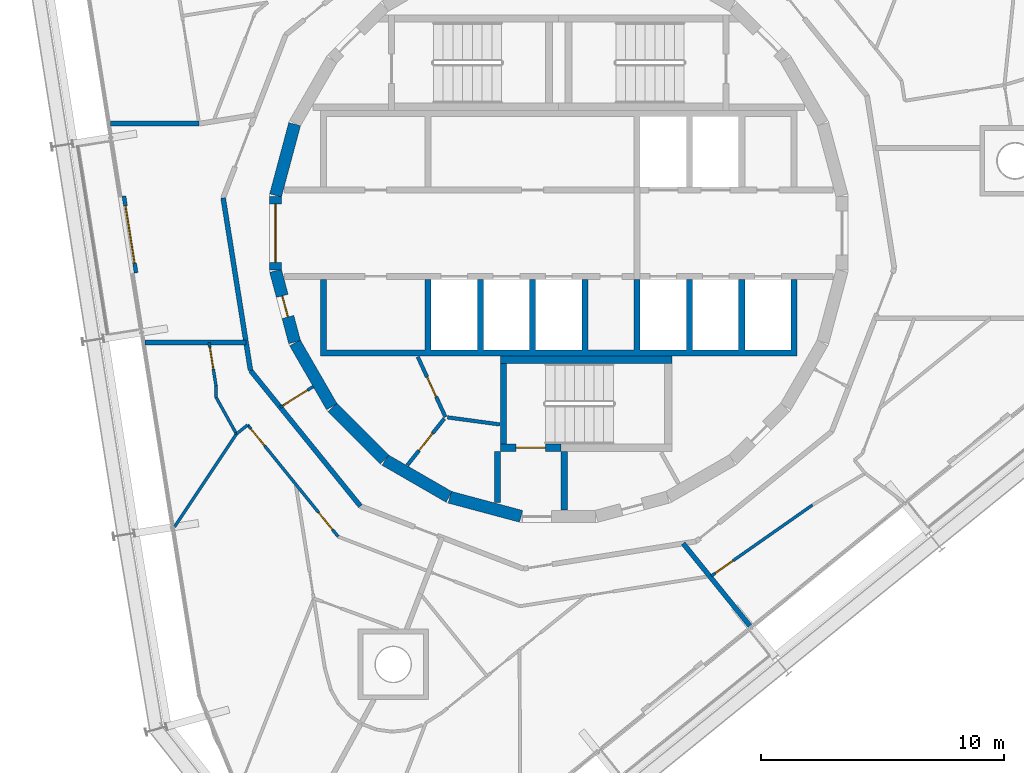
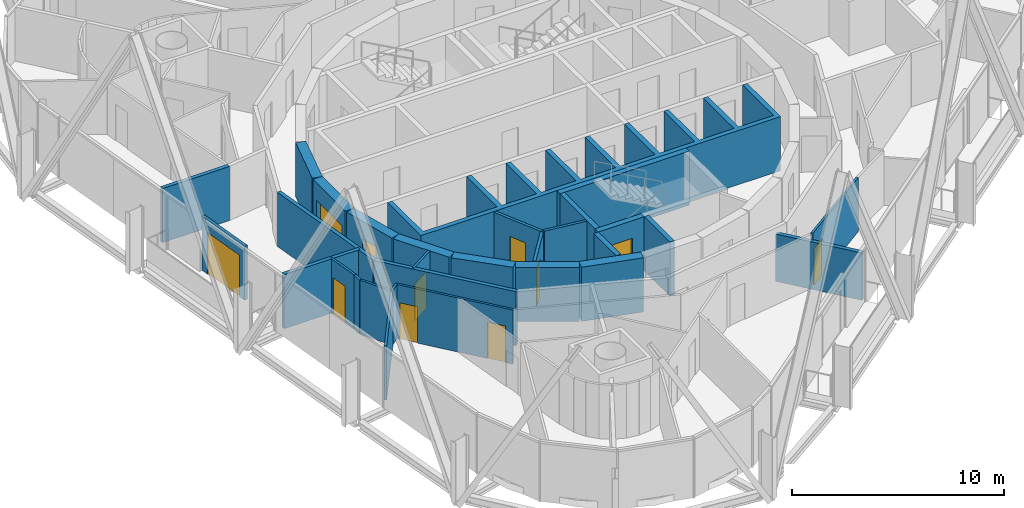
# One storey, part 12 of 18: 30 walls, 11 doors, 11 openings.
"""IFC4 building model written with IfcOpenShell, lengths in metres."""

from ifc_helpers import new_model, si_unit, direction, frame, frame_2d, origin, place, context, subcontext, project, spatial, polyline, rectangle, outline, extrude, material, layer, layer_set, type_object, element, fill, save


model = new_model("IFC4")

# Units and contexts
model_context = context("Model", 3, precision=1e-05, world=origin(), true_north=direction((0.0, 1.0)))
body_context = subcontext(model_context, "Body", "Model", "MODEL_VIEW")
ifc_project = project(units=[si_unit("LENGTHUNIT", "METRE"), si_unit("AREAUNIT", "SQUARE_METRE"), si_unit("VOLUMEUNIT", "CUBIC_METRE"), si_unit("PLANEANGLEUNIT", "RADIAN"), si_unit("MASSUNIT", "GRAM", prefix="KILO")], contexts=[model_context])

# Site, building, storey
site_placement = place(None, origin())
site = spatial("IfcSite", under=ifc_project, at=site_placement, CompositionType="ELEMENT")
building_placement = place(site_placement, origin())
building = spatial("IfcBuilding", under=site, at=building_placement, Name="Spindle Arch Residences", CompositionType="ELEMENT")
storey_placement = place(building_placement, frame((0.0, 0.0, 277.39990234375)))
storey = spatial("IfcBuildingStorey", under=building, at=storey_placement, Name="L71", CompositionType="ELEMENT", Elevation=277.39990234375)

# Wall
ifc_material_1 = material(Name="Concrete C50/60", Category="concrete")
ifc_layer_1 = layer(ifc_material_1, 0.5)
ifc_layer_set_1 = layer_set([ifc_layer_1], Name="Core outline wall 500")
wall_type_1 = type_object("IfcWallType", Name="Core outline wall 500", PredefinedType="SHEAR", material=ifc_layer_set_1)
wall_1_placement = place(storey_placement, frame((-10.858154296875, 4.479248046875, 0.0), z_axis=(0.0, 0.0, 1.0), x_axis=(-0.258734743916, -0.965948410781, 0.0)))
element("IfcWall", 1, at=wall_1_placement, inside=storey, type_object=wall_type_1, Name="Core outline wall 17", PredefinedType="SHEAR", context=body_context, shape_type="SweptSolid", body=[
    extrude(rectangle(XDim=3.03271484375, YDim=0.5, at=frame_2d((1.516357421875, 0.0))), origin(), (0.0, 0.0, 1.0), 3.1201171875),
])

# Wall, opening, door
wall_2_placement = place(storey_placement, frame((-11.647216796875, 1.516357421875, 0.0), z_axis=(0.0, 0.0, 1.0), x_axis=(0.0, -1.0, 0.0)))
wall_2 = element("IfcWall", 2, at=wall_2_placement, inside=storey, type_object=wall_type_1, Name="Core outline wall 18", PredefinedType="SHEAR", context=body_context, shape_type="SweptSolid", body=[
    extrude(rectangle(XDim=3.03271484375, YDim=0.5, at=frame_2d((1.516357421875, 0.0))), origin(), (0.0, 0.0, 1.0), 3.1201171875),
])
opening_1_placement = place(wall_2_placement, frame((0.31640625, 0.0, 0.0)))
opening_1 = element("IfcOpeningElement", 3, at=opening_1_placement, cuts=wall_2, Name="Opening R7B0-LE01", PredefinedType="OPENING", context=body_context, shape_type="SweptSolid", body=[
    extrude(rectangle(XDim=2.39990234375, YDim=2.10009765625, at=frame_2d((1.199951171875, 1.050048828125))), frame((0.0, 0.260009765625, 0.0), z_axis=(0.0, -1.0, 0.0), x_axis=(1.0, 0.0, 0.0)), (0.0, 0.0, 1.0), 0.52001953125),
])
ifc_material_2 = material(Name="Steel, fire-resisting door", Category="steel")
door_type_1 = type_object("IfcDoorType", Name="Lift lobby entrance door 2400x2100", OperationType="DOUBLE_DOOR_SINGLE_SWING", PredefinedType="DOOR", material=ifc_material_2)
door_1_placement = place(opening_1_placement, origin())
door_1 = element("IfcDoor", 4, at=door_1_placement, inside=storey, type_object=door_type_1, Name="Lift lobby entrance door R7B0-LE01", OperationType="DOUBLE_DOOR_SINGLE_SWING", OverallHeight=2.10009765625, OverallWidth=2.39990234375, PredefinedType="DOOR", context=body_context, shape_type="SweptSolid", body=[
    extrude(rectangle(XDim=2.39990234375, YDim=2.10009765625, at=frame_2d((1.199951171875, 1.050048828125))), frame((0.0, 0.02490234375, 0.0), z_axis=(0.0, -1.0, 0.0), x_axis=(1.0, 0.0, 0.0)), (0.0, 0.0, 1.0), 0.050048828125),
])
fill(opening_1, door_1)

wall_3_placement = place(storey_placement, frame((-11.642822265625, -1.5498046875, 0.0), z_axis=(0.0, 0.0, 1.0), x_axis=(0.258734743916, -0.965948410781, 0.0)))
wall_3 = element("IfcWall", 5, at=wall_3_placement, inside=storey, type_object=wall_type_1, Name="Core outline wall 19", PredefinedType="SHEAR", context=body_context, shape_type="SweptSolid", body=[
    extrude(rectangle(XDim=3.03271484375, YDim=0.5, at=frame_2d((1.516357421875, 0.0))), origin(), (0.0, 0.0, 1.0), 3.1201171875),
])
opening_2_placement = place(wall_3_placement, frame((1.06640625, 0.0, 0.0)))
opening_2 = element("IfcOpeningElement", 6, at=opening_2_placement, cuts=wall_3, Name="Opening R7B0-WD10", PredefinedType="OPENING", context=body_context, shape_type="SweptSolid", body=[
    extrude(rectangle(XDim=0.89990234375, YDim=2.10009765625, at=frame_2d((0.449951171875, 1.050048828125))), frame((0.0, 0.260009765625, 0.0), z_axis=(0.0, -1.0, 0.0), x_axis=(1.0, 0.0, 0.0)), (0.0, 0.0, 1.0), 0.52001953125),
])
ifc_material_3 = material(Name="Steel, fire-resisting door", Category="steel")
door_type_2 = type_object("IfcDoorType", Name="Service room door 900x2100", OperationType="SINGLE_SWING_LEFT", PredefinedType="DOOR", material=ifc_material_3)
door_2_placement = place(opening_2_placement, origin())
door_2 = element("IfcDoor", 7, at=door_2_placement, inside=storey, type_object=door_type_2, Name="Service room door R7B0-WD10", OperationType="SINGLE_SWING_RIGHT", OverallHeight=2.10009765625, OverallWidth=0.89990234375, PredefinedType="DOOR", context=body_context, shape_type="SweptSolid", body=[
    extrude(rectangle(XDim=0.89990234375, YDim=2.10009765625, at=frame_2d((0.449951171875, 1.050048828125))), frame((0.0, 0.02490234375, 0.0), z_axis=(0.0, -1.0, 0.0), x_axis=(1.0, 0.0, 0.0)), (0.0, 0.0, 1.0), 0.050048828125),
])
fill(opening_2, door_2)

# Walls
wall_4_placement = place(storey_placement, frame((-10.84521484375, -4.510498046875, 0.0), z_axis=(0.0, 0.0, 1.0), x_axis=(0.500087131594, -0.865975092491, 0.0)))
element("IfcWall", 8, at=wall_4_placement, inside=storey, type_object=wall_type_1, Name="Core outline wall 20", PredefinedType="SHEAR", context=body_context, shape_type="SweptSolid", body=[
    extrude(rectangle(XDim=3.03271484375, YDim=0.5, at=frame_2d((1.516357421875, 0.0))), origin(), (0.0, 0.0, 1.0), 3.1201171875),
])
wall_5_placement = place(storey_placement, frame((-9.30810546875, -7.163818359375, 0.0), z_axis=(0.0, 0.0, 1.0), x_axis=(0.707106781187, -0.707106781187, 0.0)))
element("IfcWall", 9, at=wall_5_placement, inside=storey, type_object=wall_type_1, Name="Core outline wall 21", PredefinedType="SHEAR", context=body_context, shape_type="SweptSolid", body=[
    extrude(rectangle(XDim=3.032470703125, YDim=0.5, at=frame_2d((1.51611328125, 0.0))), origin(), (0.0, 0.0, 1.0), 3.1201171875),
])
for number, where, z_axis, x_axis, name in (
    (10, (-7.13671875, -9.32861328125, 0.0), (0.0, 0.0, 1.0), (0.865975092491, -0.500087131594, 0.0), "Core outline wall 22"),
    (11, (-4.479248046875, -10.858154296875, 0.0), (0.0, 0.0, 1.0), (0.965948410781, -0.258734743916, 0.0), "Core outline wall 23"),
):
    element("IfcWall", number, at=place(storey_placement, frame(where, z_axis=z_axis, x_axis=x_axis)), inside=storey, type_object=wall_type_1, Name=name, PredefinedType="SHEAR", context=body_context, shape_type="SweptSolid", body=[
        extrude(rectangle(XDim=3.03271484375, YDim=0.5, at=frame_2d((1.516357421875, 0.0))), origin(), (0.0, 0.0, 1.0), 3.1201171875),
    ])

# Wall, opening, door
ifc_material_4 = material(Name="Plasterboard on steel studs", Category="steel")
ifc_layer_2 = layer(ifc_material_4, 0.1201171875)
ifc_layer_set_2 = layer_set([ifc_layer_2], Name="Corridor division wall 120")
wall_type_2 = type_object("IfcWallType", Name="Corridor division wall 120", PredefinedType="PARTITIONING", material=ifc_layer_set_2)
wall_6_placement = place(storey_placement, frame((-11.44921875, -7.154296875, 0.0), z_axis=(0.0, 0.0, 1.0), x_axis=(0.848067047543, 0.529888934468, 0.0)))
wall_6 = element("IfcWall", 12, at=wall_6_placement, inside=storey, type_object=wall_type_2, Name="Corridor division wall R7B0-W003", PredefinedType="PARTITIONING", context=body_context, shape_type="SweptSolid", body=[
    extrude(rectangle(XDim=1.595947265625, YDim=0.1201171875, at=frame_2d((0.7978515625, 0.0))), origin(), (0.0, 0.0, 1.0), 3.1201171875),
])
opening_3_placement = place(wall_6_placement, frame((0.1201171875, 0.0, 0.0)))
opening_3 = element("IfcOpeningElement", 13, at=opening_3_placement, cuts=wall_6, Name="Opening R7B0-CD03", PredefinedType="OPENING", context=body_context, shape_type="SweptSolid", body=[
    extrude(rectangle(XDim=1.199951171875, YDim=2.10009765625, at=frame_2d((0.60009765625, 1.050048828125))), frame((0.0, 0.070068359375, 0.0), z_axis=(0.0, -1.0, 0.0), x_axis=(1.0, 0.0, 0.0)), (0.0, 0.0, 1.0), 0.14013671875),
])
ifc_material_5 = material(Name="Steel, fire-resisting door", Category="steel")
door_type_3 = type_object("IfcDoorType", Name="Corridor division door 1200x2100", OperationType="NOTDEFINED", PredefinedType="DOOR", material=ifc_material_5)
door_3_placement = place(opening_3_placement, origin())
door_3 = element("IfcDoor", 14, at=door_3_placement, inside=storey, type_object=door_type_3, Name="Corridor division door R7B0-CD03", OperationType="DOUBLE_DOOR_SINGLE_SWING", OverallHeight=2.10009765625, OverallWidth=1.199951171875, PredefinedType="DOOR", context=body_context, shape_type="SweptSolid", body=[
    extrude(rectangle(XDim=1.199951171875, YDim=2.10009765625, at=frame_2d((0.60009765625, 1.050048828125))), frame((0.0, 0.02490234375, 0.0), z_axis=(0.0, -1.0, 0.0), x_axis=(1.0, 0.0, 0.0)), (0.0, 0.0, 1.0), 0.050048828125),
])
fill(opening_3, door_3)

# Wall
ifc_material_6 = material(Name="Calcium silicate block, plastered")
ifc_layer_3 = layer(ifc_material_6, 0.199951171875)
ifc_layer_set_3 = layer_set([ifc_layer_3], Name="Corridor wall 200")
wall_type_3 = type_object("IfcWallType", Name="Corridor wall 200", PredefinedType="STANDARD", material=ifc_layer_set_3)
wall_7_placement = place(storey_placement, frame((-12.67333984375, -5.642578125, 0.0), z_axis=(0.0, 0.0, 1.0), x_axis=(0.629302871585, -0.777160148113, 0.0)))
element("IfcWall", 15, at=wall_7_placement, inside=storey, type_object=wall_type_3, Name="Corridor wall R7B0-W012", PredefinedType="STANDARD", context=body_context, shape_type="SweptSolid", body=[
    extrude(rectangle(XDim=7.180908203125, YDim=0.199951171875, at=frame_2d((3.59033203125, 0.0))), origin(), (0.0, 0.0, 1.0), 3.1201171875),
])

# Wall, opening, door
ifc_material_7 = material(Name="Plasterboard on steel studs", Category="steel")
ifc_layer_4 = layer(ifc_material_7, 0.1201171875)
ifc_layer_set_4 = layer_set([ifc_layer_4], Name="Flat partition 120")
wall_type_4 = type_object("IfcWallType", Name="Flat partition 120", PredefinedType="PARTITIONING", material=ifc_layer_set_4)
wall_8_placement = place(storey_placement, frame((-14.373046875, -4.5, 0.0), z_axis=(0.0, 0.0, 1.0), x_axis=(0.156437152886, -0.987687914878, 0.0)))
wall_8 = element("IfcWall", 16, at=wall_8_placement, inside=storey, type_object=wall_type_4, Name="Flat partition R7B0-W068", PredefinedType="PARTITIONING", context=body_context, shape_type="SweptSolid", body=[
    extrude(rectangle(XDim=1.79638671875, YDim=0.1201171875, at=frame_2d((0.898193359375, 0.0))), origin(), (0.0, 0.0, 1.0), 3.1201171875),
])
opening_4_placement = place(wall_8_placement, frame((0.199951171875, 0.0, 0.0)))
opening_4 = element("IfcOpeningElement", 17, at=opening_4_placement, cuts=wall_8, Name="Opening R7B0-ID15", PredefinedType="OPENING", context=body_context, shape_type="SweptSolid", body=[
    extrude(rectangle(XDim=0.89990234375, YDim=2.10009765625, at=frame_2d((0.449951171875, 1.050048828125))), frame((0.0, 0.070068359375, 0.0), z_axis=(0.0, -1.0, 0.0), x_axis=(1.0, 0.0, 0.0)), (0.0, 0.0, 1.0), 0.14013671875),
])
ifc_material_8 = material(Name="Timber door set", Category="wood")
door_type_4 = type_object("IfcDoorType", Name="Room door 900x2100", OperationType="NOTDEFINED", PredefinedType="DOOR", material=ifc_material_8)
door_4_placement = place(opening_4_placement, origin())
door_4 = element("IfcDoor", 18, at=door_4_placement, inside=storey, type_object=door_type_4, Name="Room door R7B0-ID15", OperationType="SINGLE_SWING_RIGHT", OverallHeight=2.10009765625, OverallWidth=0.89990234375, PredefinedType="DOOR", context=body_context, shape_type="SweptSolid", body=[
    extrude(rectangle(XDim=0.89990234375, YDim=2.10009765625, at=frame_2d((0.449951171875, 1.050048828125))), frame((0.0, 0.02490234375, 0.0), z_axis=(0.0, -1.0, 0.0), x_axis=(1.0, 0.0, 0.0)), (0.0, 0.0, 1.0), 0.050048828125),
])
fill(opening_4, door_4)

# Walls
wall_9_placement = place(storey_placement, frame((-14.092041015625, -6.274169921875, 0.0), z_axis=(0.0, 0.0, 1.0), x_axis=(0.008221715939, -0.999966201122, 0.0)))
element("IfcWall", 19, at=wall_9_placement, inside=storey, type_object=wall_type_4, Name="Flat partition R7B0-W069", PredefinedType="PARTITIONING", context=body_context, shape_type="SweptSolid", body=[
    extrude(rectangle(XDim=0.47509765625, YDim=0.1201171875, at=frame_2d((0.237548828125, 0.0))), origin(), (0.0, 0.0, 1.0), 3.1201171875),
])
wall_10_placement = place(storey_placement, frame((-14.088134765625, -6.749267578125, 0.0), z_axis=(0.0, 0.0, 1.0), x_axis=(0.486723752783, -0.873555944675, 0.0)))
element("IfcWall", 20, at=wall_10_placement, inside=storey, type_object=wall_type_4, Name="Flat partition R7B0-W070", PredefinedType="PARTITIONING", context=body_context, shape_type="SweptSolid", body=[
    extrude(rectangle(XDim=1.7255859375, YDim=0.1201171875, at=frame_2d((0.86279296875, 0.0))), origin(), (0.0, 0.0, 1.0), 3.1201171875),
])
wall_11_placement = place(storey_placement, frame((-13.248291015625, -8.256591796875, 0.0), z_axis=(0.0, 0.0, 1.0), x_axis=(0.777071947771, 0.629411779352, 0.0)))
element("IfcWall", 21, at=wall_11_placement, inside=storey, type_object=wall_type_4, Name="Flat partition R7B0-W071", PredefinedType="PARTITIONING", context=body_context, shape_type="SweptSolid", body=[
    extrude(rectangle(XDim=0.591796875, YDim=0.1201171875, at=frame_2d((0.2958984375, 0.0))), origin(), (0.0, 0.0, 1.0), 3.1201171875),
])

# Wall, openings, doors
wall_12_placement = place(storey_placement, frame((-12.788330078125, -7.884033203125, 0.0), z_axis=(0.0, 0.0, 1.0), x_axis=(0.6293312414, -0.777137174891, 0.0)))
wall_12 = element("IfcWall", 22, at=wall_12_placement, inside=storey, type_object=wall_type_4, Name="Flat partition R7B0-W072", PredefinedType="PARTITIONING", context=body_context, shape_type="SweptSolid", body=[
    extrude(rectangle(XDim=5.913330078125, YDim=0.1201171875, at=frame_2d((2.95654296875, 0.0))), origin(), (0.0, 0.0, 1.0), 3.1201171875),
])
opening_5_placement = place(wall_12_placement, frame((0.199951171875, 0.0, 0.0)))
opening_5 = element("IfcOpeningElement", 23, at=opening_5_placement, cuts=wall_12, Name="Opening R7B0-ID16", PredefinedType="OPENING", context=body_context, shape_type="SweptSolid", body=[
    extrude(rectangle(XDim=0.89990234375, YDim=2.10009765625, at=frame_2d((0.449951171875, 1.050048828125))), frame((0.0, 0.070068359375, 0.0), z_axis=(0.0, -1.0, 0.0), x_axis=(1.0, 0.0, 0.0)), (0.0, 0.0, 1.0), 0.14013671875),
])
opening_6_placement = place(wall_12_placement, frame((4.63525390625, 0.0, 0.0)))
opening_6 = element("IfcOpeningElement", 24, at=opening_6_placement, cuts=wall_12, Name="Opening R7B0-ID17", PredefinedType="OPENING", context=body_context, shape_type="SweptSolid", body=[
    extrude(rectangle(XDim=0.89990234375, YDim=2.10009765625, at=frame_2d((0.449951171875, 1.050048828125))), frame((0.0, 0.070068359375, 0.0), z_axis=(0.0, -1.0, 0.0), x_axis=(1.0, 0.0, 0.0)), (0.0, 0.0, 1.0), 0.14013671875),
])
door_5_placement = place(opening_5_placement, origin())
door_5 = element("IfcDoor", 25, at=door_5_placement, inside=storey, type_object=door_type_4, Name="Room door R7B0-ID16", OperationType="SINGLE_SWING_RIGHT", OverallHeight=2.10009765625, OverallWidth=0.89990234375, PredefinedType="DOOR", context=body_context, shape_type="SweptSolid", body=[
    extrude(rectangle(XDim=0.89990234375, YDim=2.10009765625, at=frame_2d((0.449951171875, 1.050048828125))), frame((0.0, 0.02490234375, 0.0), z_axis=(0.0, -1.0, 0.0), x_axis=(1.0, 0.0, 0.0)), (0.0, 0.0, 1.0), 0.050048828125),
])
fill(opening_5, door_5)
door_6_placement = place(opening_6_placement, origin())
door_6 = element("IfcDoor", 26, at=door_6_placement, inside=storey, type_object=door_type_4, Name="Room door R7B0-ID17", OperationType="SINGLE_SWING_RIGHT", OverallHeight=2.10009765625, OverallWidth=0.89990234375, PredefinedType="DOOR", context=body_context, shape_type="SweptSolid", body=[
    extrude(rectangle(XDim=0.89990234375, YDim=2.10009765625, at=frame_2d((0.449951171875, 1.050048828125))), frame((0.0, 0.02490234375, 0.0), z_axis=(0.0, -1.0, 0.0), x_axis=(1.0, 0.0, 0.0)), (0.0, 0.0, 1.0), 0.050048828125),
])
fill(opening_6, door_6)

# Wall
wall_13_placement = place(storey_placement, frame((-15.801513671875, -12.07958984375, 0.0), z_axis=(0.0, 0.0, 1.0), x_axis=(0.555386305099, 0.831592479589, 0.0)))
element("IfcWall", 27, at=wall_13_placement, inside=storey, type_object=wall_type_4, Name="Flat partition R7B0-W074", PredefinedType="PARTITIONING", context=body_context, shape_type="SweptSolid", body=[
    extrude(rectangle(XDim=4.59716796875, YDim=0.1201171875, at=frame_2d((2.298583984375, 0.0))), origin(), (0.0, 0.0, 1.0), 3.1201171875),
])

# Wall, opening, door
wall_14_placement = place(storey_placement, frame((6.274169921875, -14.092041015625, 0.0), z_axis=(0.0, 0.0, 1.0), x_axis=(0.818755256003, 0.574142691992, 0.0)))
wall_14 = element("IfcWall", 28, at=wall_14_placement, inside=storey, type_object=wall_type_4, Name="Flat partition R7B0-W092", PredefinedType="PARTITIONING", context=body_context, shape_type="SweptSolid", body=[
    extrude(rectangle(XDim=5.080078125, YDim=0.1201171875, at=frame_2d((2.5400390625, 0.0))), origin(), (0.0, 0.0, 1.0), 3.1201171875),
])
opening_7_placement = place(wall_14_placement, frame((0.199951171875, 0.0, 0.0)))
opening_7 = element("IfcOpeningElement", 29, at=opening_7_placement, cuts=wall_14, Name="Opening R7B0-ID25", PredefinedType="OPENING", context=body_context, shape_type="SweptSolid", body=[
    extrude(rectangle(XDim=0.89990234375, YDim=2.10009765625, at=frame_2d((0.449951171875, 1.050048828125))), frame((0.0, 0.070068359375, 0.0), z_axis=(0.0, -1.0, 0.0), x_axis=(1.0, 0.0, 0.0)), (0.0, 0.0, 1.0), 0.14013671875),
])
door_7_placement = place(opening_7_placement, origin())
door_7 = element("IfcDoor", 30, at=door_7_placement, inside=storey, type_object=door_type_4, Name="Room door R7B0-ID25", OperationType="SINGLE_SWING_LEFT", OverallHeight=2.10009765625, OverallWidth=0.89990234375, PredefinedType="DOOR", context=body_context, shape_type="SweptSolid", body=[
    extrude(rectangle(XDim=0.89990234375, YDim=2.10009765625, at=frame_2d((0.449951171875, 1.050048828125))), frame((0.0, 0.02490234375, 0.0), z_axis=(0.0, -1.0, 0.0), x_axis=(1.0, 0.0, 0.0)), (0.0, 0.0, 1.0), 0.050048828125),
])
fill(opening_7, door_7)

# Wall
ifc_material_9 = material(Name="Calcium silicate block, plastered")
ifc_layer_5 = layer(ifc_material_9, 0.199951171875)
ifc_layer_set_5 = layer_set([ifc_layer_5], Name="Flat party wall 200 under beam 2730")
wall_type_5 = type_object("IfcWallType", Name="Flat party wall 200 under beam 2730", PredefinedType="STANDARD", material=ifc_layer_set_5)
wall_15_placement = place(storey_placement, frame((7.860595703125, -16.1484375, 0.0), z_axis=(0.0, 0.0, 1.0), x_axis=(-0.629330189513, 0.777138026716, 0.0)))
element("IfcWall", 31, at=wall_15_placement, inside=storey, type_object=wall_type_5, Name="Flat party wall R7B0-W030", PredefinedType="STANDARD", context=body_context, shape_type="SweptSolid", body=[
    extrude(rectangle(XDim=4.364013671875, YDim=0.199951171875, at=frame_2d((2.18212890625, 0.0))), origin(), (0.0, 0.0, 1.0), 2.72998046875),
])

# Wall, opening, door
ifc_material_10 = material(Name="Non-combustible mineral wool insulated aluminium faced external wall (K0)", Category="aluminium")
ifc_layer_6 = layer(ifc_material_10, 0.159912109375)
ifc_layer_set_6 = layer_set([ifc_layer_6], Name="Insulated external wall panel 160")
wall_type_6 = type_object("IfcWallType", Name="Insulated external wall panel 160", PredefinedType="STANDARD", material=ifc_layer_set_6)
wall_16_placement = place(storey_placement, frame((-17.875244140625, 1.52490234375, 0.0), z_axis=(0.0, 0.0, 1.0), x_axis=(0.156413134305, -0.987691718816, 0.0)))
wall_16 = element("IfcWall", 32, at=wall_16_placement, inside=storey, type_object=wall_type_6, Name="External wall L71 bay 13", PredefinedType="STANDARD", context=body_context, shape_type="SweptSolid", body=[
    extrude(rectangle(XDim=3.19970703125, YDim=0.159912109375, at=frame_2d((1.599853515625, 0.0))), origin(), (0.0, 0.0, 1.0), 3.1201171875),
])
opening_8_placement = place(wall_16_placement, frame((0.39990234375, 0.0, 0.0)))
opening_8 = element("IfcOpeningElement", 33, at=opening_8_placement, cuts=wall_16, Name="Opening BD13", PredefinedType="OPENING", context=body_context, shape_type="SweptSolid", body=[
    extrude(rectangle(XDim=2.39990234375, YDim=2.39990234375, at=frame_2d((1.199951171875, 1.199951171875))), frame((0.0, 0.08984375, 0.0), z_axis=(0.0, -1.0, 0.0), x_axis=(1.0, 0.0, 0.0)), (0.0, 0.0, 1.0), 0.179931640625),
])
ifc_material_11 = material(Name="Bronze aluminium frame, tinted double glazing", Category="aluminium")
door_type_5 = type_object("IfcDoorType", Name="Sliding glazed balcony door 2400x2400", OperationType="DOUBLE_DOOR_SLIDING", PredefinedType="DOOR", material=ifc_material_11)
door_8_placement = place(opening_8_placement, origin())
door_8 = element("IfcDoor", 34, at=door_8_placement, inside=storey, type_object=door_type_5, Name="Balcony door BD13", OperationType="DOUBLE_DOOR_SLIDING", OverallHeight=2.39990234375, OverallWidth=2.39990234375, PredefinedType="DOOR", context=body_context, shape_type="SweptSolid", body=[
    extrude(rectangle(XDim=2.39990234375, YDim=2.39990234375, at=frame_2d((1.199951171875, 1.199951171875))), frame((0.0, 0.02490234375, 0.0), z_axis=(0.0, -1.0, 0.0), x_axis=(1.0, 0.0, 0.0)), (0.0, 0.0, 1.0), 0.050048828125),
])
fill(opening_8, door_8)

# Walls
ifc_material_12 = material(Name="Calcium silicate block, plastered")
ifc_layer_7 = layer(ifc_material_12, 0.199951171875)
ifc_layer_set_7 = layer_set([ifc_layer_7], Name="Lift lobby bay wall 200")
wall_type_7 = type_object("IfcWallType", Name="Lift lobby bay wall 200", PredefinedType="STANDARD", material=ifc_layer_set_7)
wall_17_placement = place(storey_placement, frame((-13.796630859375, 1.4501953125, 0.0), z_axis=(0.0, 0.0, 1.0), x_axis=(0.156421704315, -0.987690361611, 0.0)))
element("IfcWall", 35, at=wall_17_placement, inside=storey, type_object=wall_type_7, Name="Lift lobby bay wall R7B0-W010", PredefinedType="STANDARD", context=body_context, shape_type="SweptSolid", body=[
    extrude(rectangle(XDim=7.18115234375, YDim=0.199951171875, at=frame_2d((3.590576171875, 0.0))), origin(), (0.0, 0.0, 1.0), 3.1201171875),
])
wall_18_placement = place(storey_placement, frame((-14.78271484375, 4.5, 0.0), z_axis=(0.0, 0.0, 1.0), x_axis=(-1.0, 0.0, 0.0)))
element("IfcWall", 36, at=wall_18_placement, inside=storey, type_object=wall_type_7, Name="Lift lobby bay wall R7B0-W017", PredefinedType="STANDARD", context=body_context, shape_type="SweptSolid", body=[
    extrude(rectangle(XDim=3.644775390625, YDim=0.199951171875, at=frame_2d((1.822265625, 0.0))), origin(), (0.0, 0.0, 1.0), 3.1201171875),
])
wall_19_placement = place(storey_placement, frame((-17.001953125, -4.5, 0.0), z_axis=(0.0, 0.0, 1.0), x_axis=(1.0, 0.0, 0.0)))
element("IfcWall", 37, at=wall_19_placement, inside=storey, type_object=wall_type_7, Name="Lift lobby bay wall R7B0-W018", PredefinedType="STANDARD", context=body_context, shape_type="SweptSolid", body=[
    extrude(rectangle(XDim=4.147705078125, YDim=0.199951171875, at=frame_2d((2.07373046875, 0.0))), origin(), (0.0, 0.0, 1.0), 3.1201171875),
])
ifc_material_13 = material(Name="Concrete C50/60", Category="concrete")
wall_type_8 = type_object("IfcWallType", Name="Lift shaft wall profile", PredefinedType="SHEAR", material=ifc_material_13)
wall_20_placement = place(storey_placement, origin())
element("IfcWall", 38, at=wall_20_placement, inside=storey, type_object=wall_type_8, Name="Lift shaft walls S", PredefinedType="SHEAR", context=body_context, shape_type="SweptSolid", body=[
    extrude(outline(polyline([(9.800048828125, -5.050048828125), (9.800048828125, -4.800048828125), (9.800048828125, -1.89990234375), (9.550048828125, -1.89990234375), (9.550048828125, -4.800048828125), (7.64990234375, -4.800048828125), (7.64990234375, -1.89990234375), (7.39990234375, -1.89990234375), (7.39990234375, -4.800048828125), (5.5, -4.800048828125), (5.5, -1.89990234375), (5.25, -1.89990234375), (5.25, -4.800048828125), (3.35009765625, -4.800048828125), (3.35009765625, -1.89990234375), (3.10009765625, -1.89990234375), (3.10009765625, -4.800048828125), (1.199951171875, -4.800048828125), (1.199951171875, -1.89990234375), (0.949951171875, -1.89990234375), (0.949951171875, -4.800048828125), (-0.949951171875, -4.800048828125), (-0.949951171875, -1.89990234375), (-1.199951171875, -1.89990234375), (-1.199951171875, -4.800048828125), (-3.10009765625, -4.800048828125), (-3.10009765625, -1.89990234375), (-3.35009765625, -1.89990234375), (-3.35009765625, -4.800048828125), (-5.25, -4.800048828125), (-5.25, -1.89990234375), (-5.5, -1.89990234375), (-5.5, -4.800048828125), (-9.550048828125, -4.800048828125), (-9.550048828125, -1.89990234375), (-9.800048828125, -1.89990234375), (-9.800048828125, -4.800048828125), (-9.800048828125, -5.050048828125), (9.800048828125, -5.050048828125)])), origin(), (0.0, 0.0, 1.0), 3.1201171875),
])

# Wall, opening, door
ifc_material_14 = material(Name="Concrete C25/30", Category="concrete")
ifc_layer_8 = layer(ifc_material_14, 0.14990234375)
ifc_layer_set_8 = layer_set([ifc_layer_8], Name="Service room partition 150")
wall_type_9 = type_object("IfcWallType", Name="Service room partition 150", PredefinedType="PARTITIONING", material=ifc_layer_set_8)
wall_21_placement = place(storey_placement, frame((-5.794921875, -5.086181640625, 0.0), z_axis=(0.0, 0.0, 1.0), x_axis=(0.417887867606, -0.908498613157, 0.0)))
wall_21 = element("IfcWall", 39, at=wall_21_placement, inside=storey, type_object=wall_type_9, Name="Core service room partition", PredefinedType="PARTITIONING", context=body_context, shape_type="SweptSolid", body=[
    extrude(rectangle(XDim=2.72607421875, YDim=0.14990234375, at=frame_2d((1.363037109375, 0.0))), origin(), (0.0, 0.0, 1.0), 3.1201171875),
])
opening_9_placement = place(wall_21_placement, frame((0.912841796875, 0.0, 0.0)))
opening_9 = element("IfcOpeningElement", 40, at=opening_9_placement, cuts=wall_21, Name="Opening R7B0-WD06", PredefinedType="OPENING", context=body_context, shape_type="SweptSolid", body=[
    extrude(rectangle(XDim=0.89990234375, YDim=2.10009765625, at=frame_2d((0.449951171875, 1.050048828125))), frame((0.0, 0.0849609375, 0.0), z_axis=(0.0, -1.0, 0.0), x_axis=(1.0, 0.0, 0.0)), (0.0, 0.0, 1.0), 0.169921875),
])
door_9_placement = place(opening_9_placement, origin())
door_9 = element("IfcDoor", 41, at=door_9_placement, inside=storey, type_object=door_type_2, Name="Service room door R7B0-WD06", OperationType="SINGLE_SWING_RIGHT", OverallHeight=2.10009765625, OverallWidth=0.89990234375, PredefinedType="DOOR", context=body_context, shape_type="SweptSolid", body=[
    extrude(rectangle(XDim=0.89990234375, YDim=2.10009765625, at=frame_2d((0.449951171875, 1.050048828125))), frame((0.0, 0.02490234375, 0.0), z_axis=(0.0, -1.0, 0.0), x_axis=(1.0, 0.0, 0.0)), (0.0, 0.0, 1.0), 0.050048828125),
])
fill(opening_9, door_9)

wall_22_placement = place(storey_placement, frame((-4.70556640625, -7.62548828125, 0.0), z_axis=(0.0, 0.0, 1.0), x_axis=(-0.621392599334, -0.783499353856, 0.0)))
wall_22 = element("IfcWall", 42, at=wall_22_placement, inside=storey, type_object=wall_type_9, Name="Core service room partition", PredefinedType="PARTITIONING", context=body_context, shape_type="SweptSolid", body=[
    extrude(rectangle(XDim=2.447265625, YDim=0.14990234375, at=frame_2d((1.2236328125, 0.0))), origin(), (0.0, 0.0, 1.0), 3.1201171875),
])
opening_10_placement = place(wall_22_placement, frame((0.773681640625, 0.0, 0.0)))
opening_10 = element("IfcOpeningElement", 43, at=opening_10_placement, cuts=wall_22, Name="Opening R7B0-WD07", PredefinedType="OPENING", context=body_context, shape_type="SweptSolid", body=[
    extrude(rectangle(XDim=0.89990234375, YDim=2.10009765625, at=frame_2d((0.449951171875, 1.050048828125))), frame((0.0, 0.0849609375, 0.0), z_axis=(0.0, -1.0, 0.0), x_axis=(1.0, 0.0, 0.0)), (0.0, 0.0, 1.0), 0.169921875),
])
door_10_placement = place(opening_10_placement, origin())
door_10 = element("IfcDoor", 44, at=door_10_placement, inside=storey, type_object=door_type_2, Name="Service room door R7B0-WD07", OperationType="SINGLE_SWING_LEFT", OverallHeight=2.10009765625, OverallWidth=0.89990234375, PredefinedType="DOOR", context=body_context, shape_type="SweptSolid", body=[
    extrude(rectangle(XDim=0.89990234375, YDim=2.10009765625, at=frame_2d((0.449951171875, 1.050048828125))), frame((0.0, 0.02490234375, 0.0), z_axis=(0.0, -1.0, 0.0), x_axis=(1.0, 0.0, 0.0)), (0.0, 0.0, 1.0), 0.050048828125),
])
fill(opening_10, door_10)

# Walls
wall_23_placement = place(storey_placement, frame((-2.419921875, -7.865234375, 0.0), z_axis=(0.0, 0.0, 1.0), x_axis=(-0.990972299108, 0.134066783362, 0.0)))
element("IfcWall", 45, at=wall_23_placement, inside=storey, type_object=wall_type_9, Name="Core service room partition", PredefinedType="PARTITIONING", context=body_context, shape_type="SweptSolid", body=[
    extrude(rectangle(XDim=2.176025390625, YDim=0.14990234375, at=frame_2d((1.087890625, 0.0))), origin(), (0.0, 0.0, 1.0), 3.1201171875),
])
ifc_material_15 = material(Name="Concrete C40/50", Category="concrete")
ifc_layer_9 = layer(ifc_material_15, 0.25)
ifc_layer_set_9 = layer_set([ifc_layer_9], Name="Stair airlock wall 250")
wall_type_10 = type_object("IfcWallType", Name="Stair airlock wall 250", PredefinedType="SHEAR", material=ifc_layer_set_9)
wall_24_placement = place(storey_placement, frame((-2.52490234375, -8.969970703125, 0.0), z_axis=(0.0, 0.0, 1.0), x_axis=(0.0, -1.0, 0.0)))
element("IfcWall", 46, at=wall_24_placement, inside=storey, type_object=wall_type_10, Name="Stair ST-3 airlock wall W", PredefinedType="SHEAR", context=body_context, shape_type="SweptSolid", body=[
    extrude(rectangle(XDim=2.110107421875, YDim=0.25, at=frame_2d((1.05517578125, 0.0))), origin(), (0.0, 0.0, 1.0), 3.1201171875),
])
wall_25_placement = place(storey_placement, frame((0.22509765625, -8.969970703125, 0.0), z_axis=(0.0, 0.0, 1.0), x_axis=(0.0, -1.0, 0.0)))
element("IfcWall", 47, at=wall_25_placement, inside=storey, type_object=wall_type_10, Name="Stair ST-3 airlock wall E", PredefinedType="SHEAR", context=body_context, shape_type="SweptSolid", body=[
    extrude(rectangle(XDim=2.409912109375, YDim=0.25, at=frame_2d((1.205078125, 0.0))), origin(), (0.0, 0.0, 1.0), 3.1201171875),
])
ifc_material_16 = material(Name="Concrete C50/60", Category="concrete")
ifc_layer_10 = layer(ifc_material_16, 0.25)
ifc_layer_set_10 = layer_set([ifc_layer_10], Name="Stair enclosure wall 250")
wall_type_11 = type_object("IfcWallType", Name="Stair enclosure wall 250", PredefinedType="SHEAR", material=ifc_layer_set_10)
wall_26_placement = place(storey_placement, frame((-2.27490234375, -8.669921875, 0.0), z_axis=(0.0, 0.0, 1.0), x_axis=(0.0, 1.0, 0.0)))
element("IfcWall", 48, at=wall_26_placement, inside=storey, type_object=wall_type_11, Name="Stair ST-3 enclosure wall W", PredefinedType="SHEAR", context=body_context, shape_type="SweptSolid", body=[
    extrude(rectangle(XDim=3.31982421875, YDim=0.25, at=frame_2d((1.659912109375, 0.0))), origin(), (0.0, 0.0, 1.0), 3.1201171875),
])
ifc_material_17 = material(Name="Concrete C50/60", Category="concrete")
ifc_layer_11 = layer(ifc_material_17, 0.300048828125)
ifc_layer_set_11 = layer_set([ifc_layer_11], Name="Stair enclosure wall 300")
wall_type_12 = type_object("IfcWallType", Name="Stair enclosure wall 300", PredefinedType="SHEAR", material=ifc_layer_set_11)
wall_27_placement = place(storey_placement, frame((-2.39990234375, -5.199951171875, 0.0), z_axis=(0.0, 0.0, 1.0), x_axis=(1.0, 0.0, 0.0)))
element("IfcWall", 49, at=wall_27_placement, inside=storey, type_object=wall_type_12, Name="Stair ST-3 enclosure wall N", PredefinedType="SHEAR", context=body_context, shape_type="SweptSolid", body=[
    extrude(rectangle(XDim=7.0498046875, YDim=0.300048828125, at=frame_2d((3.52490234375, 0.0))), origin(), (0.0, 0.0, 1.0), 3.1201171875),
])

# Wall, opening, door
wall_28_placement = place(storey_placement, frame((-2.39990234375, -8.820068359375, 0.0), z_axis=(0.0, 0.0, 1.0), x_axis=(1.0, 0.0, 0.0)))
wall_28 = element("IfcWall", 50, at=wall_28_placement, inside=storey, type_object=wall_type_12, Name="Stair ST-3 door wall", PredefinedType="SHEAR", context=body_context, shape_type="SweptSolid", body=[
    extrude(rectangle(XDim=2.5, YDim=0.300048828125, at=frame_2d((1.25, 0.0))), origin(), (0.0, 0.0, 1.0), 3.1201171875),
])
opening_11_placement = place(wall_28_placement, frame((0.64990234375, 0.0, 0.0)))
opening_11 = element("IfcOpeningElement", 51, at=opening_11_placement, cuts=wall_28, Name="Opening R7B0-SD03", PredefinedType="OPENING", context=body_context, shape_type="SweptSolid", body=[
    extrude(rectangle(XDim=1.199951171875, YDim=2.10009765625, at=frame_2d((0.60009765625, 1.050048828125))), frame((0.0, 0.16015625, 0.0), z_axis=(0.0, -1.0, 0.0), x_axis=(1.0, 0.0, 0.0)), (0.0, 0.0, 1.0), 0.320068359375),
])
ifc_material_18 = material(Name="Steel, fire-resisting door", Category="steel")
door_type_6 = type_object("IfcDoorType", Name="Stair door 1200x2100", OperationType="SINGLE_SWING_RIGHT", PredefinedType="DOOR", material=ifc_material_18)
door_11_placement = place(opening_11_placement, origin())
door_11 = element("IfcDoor", 52, at=door_11_placement, inside=storey, type_object=door_type_6, Name="Stair door R7B0-SD03", OperationType="SINGLE_SWING_LEFT", OverallHeight=2.10009765625, OverallWidth=1.199951171875, PredefinedType="DOOR", context=body_context, shape_type="SweptSolid", body=[
    extrude(rectangle(XDim=1.199951171875, YDim=2.10009765625, at=frame_2d((0.60009765625, 1.050048828125))), frame((0.0, 0.02490234375, 0.0), z_axis=(0.0, -1.0, 0.0), x_axis=(1.0, 0.0, 0.0)), (0.0, 0.0, 1.0), 0.050048828125),
])
fill(opening_11, door_11)

save(model, "model.ifc")
